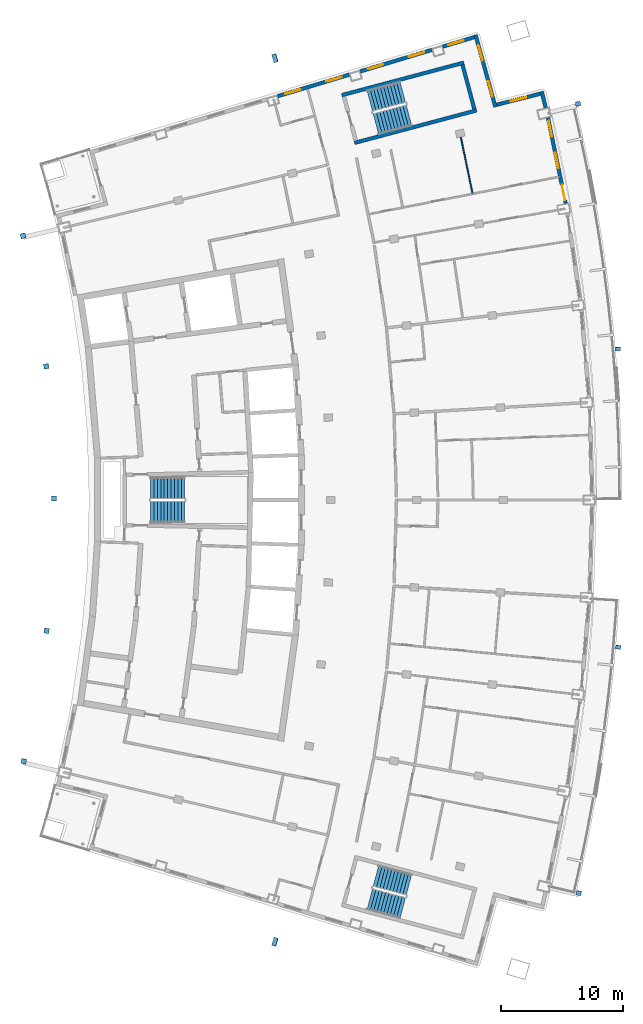
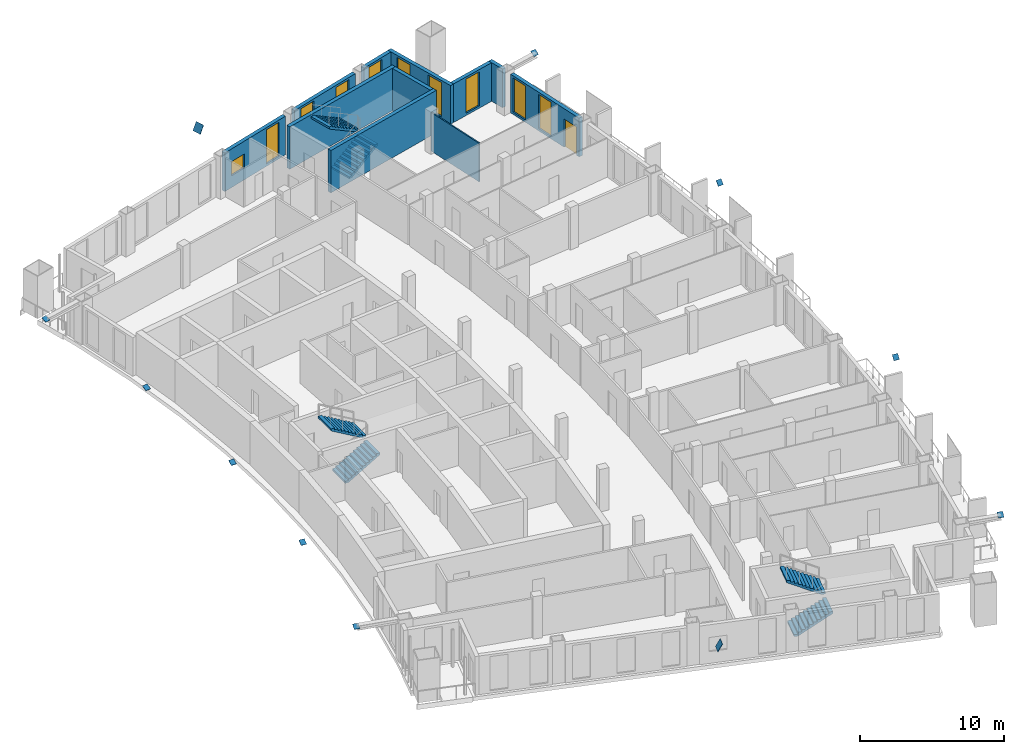
# One storey, part 13 of 15: 11 discrete accessories, 11 walls, 10 windows, 6 stair flights, 1 door, 11 openings, 3 elements without a shape of their own.
"""IFC4 building model written with IfcOpenShell, lengths in metres."""

from ifc_helpers import new_model, si_unit, direction, frame, frame_2d, origin, origin_2d, place, context, subcontext, project, spatial, polyline, rectangle, outline, extrude, material, layer, layer_set, material_profile, profile_set, type_object, element, fill, aggregate, save


model = new_model("IFC4")

# Units and contexts
model_context = context("Model", 3, precision=1e-05, world=origin(), true_north=direction((0.0, 1.0)))
body_context = subcontext(model_context, "Body", "Model", "MODEL_VIEW")
ifc_project = project(units=[si_unit("LENGTHUNIT", "METRE"), si_unit("AREAUNIT", "SQUARE_METRE"), si_unit("VOLUMEUNIT", "CUBIC_METRE"), si_unit("PLANEANGLEUNIT", "RADIAN"), si_unit("MASSUNIT", "GRAM", prefix="KILO")], contexts=[model_context])

# Site, building, storey
site_placement = place(None, origin())
site = spatial("IfcSite", under=ifc_project, at=site_placement, CompositionType="ELEMENT")
building_placement = place(site_placement, origin())
building = spatial("IfcBuilding", under=site, at=building_placement, Name="Alderwake Tower", CompositionType="ELEMENT")
storey_placement = place(building_placement, frame((0.0, 0.0, 252.800048828125)))
storey = spatial("IfcBuildingStorey", under=building, at=storey_placement, Name="L62", CompositionType="ELEMENT", Elevation=252.800048828125)

# Walls
ifc_material_1 = material(Name="Concrete C70/85", Category="concrete")
ifc_layer_1 = layer(ifc_material_1, 0.300048828125)
ifc_layer_set_1 = layer_set([ifc_layer_1], Name="Core wall stair enclosure 300 C70-85")
wall_type_1 = type_object("IfcWallType", Name="Core wall stair enclosure 300 C70-85", PredefinedType="SHEAR", material=ifc_layer_set_1)
for number, where, z_axis, x_axis, name in (
    (1, (36.71142578125, 94.182373046875, 0.0), (0.0, 0.0, 1.0), (0.966309214305, 0.257383958996, 0.0), "Core wall CW.082"),
    (2, (37.75390625, 90.268798828125, 0.0), (0.0, 0.0, 1.0), (0.966309214305, 0.257383958996, 0.0), "Core wall CW.084"),
):
    element("IfcWall", number, at=place(storey_placement, frame(where, z_axis=z_axis, x_axis=x_axis)), inside=storey, type_object=wall_type_1, Name=name, PredefinedType="SHEAR", context=body_context, shape_type="SweptSolid", body=[
        extrude(rectangle(XDim=10.360107421875, YDim=0.300048828125, at=frame_2d((5.18017578125, 0.0))), origin(), (0.0, 0.0, 1.0), 3.599853515625),
    ])
wall_1_placement = place(storey_placement, frame((47.581298828125, 93.041748046875, 0.0), z_axis=(0.0, 0.0, 1.0), x_axis=(-0.257366821694, 0.966313778796, 0.0)))
element("IfcWall", 3, at=wall_1_placement, inside=storey, type_object=wall_type_1, Name="Core wall CW.081", PredefinedType="SHEAR", context=body_context, shape_type="SweptSolid", body=[
    extrude(rectangle(XDim=3.749755859375, YDim=0.300048828125, at=frame_2d((1.875, 0.0))), origin(), (0.0, 0.0, 1.0), 3.599853515625),
])

# Wall, openings, door, windows
ifc_material_2 = material(Name="Precast concrete C50/60 spandrel panel", Category="concrete")
ifc_layer_2 = layer(ifc_material_2, 0.300048828125)
ifc_layer_set_2 = layer_set([ifc_layer_2], Name="External wall EW1 Precast concrete C50/60 spandrel")
wall_type_2 = type_object("IfcWallType", Name="External wall EW1 Precast concrete C50/60 spandrel", PredefinedType="SOLIDWALL", material=ifc_layer_set_2)
wall_2_placement = place(storey_placement, frame((55.068115234375, 85.309326171875, 0.0), z_axis=(0.0, 0.0, 1.0), x_axis=(-0.202732982931, 0.979234056614, 0.0)))
wall_2 = element("IfcWall", 4, at=wall_2_placement, inside=storey, type_object=wall_type_2, Name="External wall 19", PredefinedType="SOLIDWALL", context=body_context, shape_type="SweptSolid", body=[
    extrude(rectangle(XDim=7.16162109375, YDim=0.300048828125, at=frame_2d((3.580810546875, 0.0))), origin(), (0.0, 0.0, 1.0), 3.280029296875),
])
opening_1_placement = place(wall_2_placement, frame((0.267333984375, 0.0, 0.0)))
opening_1 = element("IfcOpeningElement", 5, at=opening_1_placement, cuts=wall_2, Name="Opening D08", PredefinedType="OPENING", context=body_context, shape_type="SweptSolid", body=[
    extrude(rectangle(XDim=1.300048828125, YDim=2.39990234375, at=frame_2d((0.64990234375, 1.199951171875))), frame((0.0, 0.159912109375, 0.0), z_axis=(0.0, -1.0, 0.0), x_axis=(1.0, 0.0, 0.0)), (0.0, 0.0, 1.0), 0.320068359375),
])
opening_2_placement = place(wall_2_placement, frame((2.930908203125, 0.0, 0.199951171875)))
opening_2 = element("IfcOpeningElement", 6, at=opening_2_placement, cuts=wall_2, Name="Opening W1", PredefinedType="OPENING", context=body_context, shape_type="SweptSolid", body=[
    extrude(rectangle(XDim=1.300048828125, YDim=2.89990234375, at=frame_2d((0.64990234375, 1.449951171875))), frame((0.0, 0.159912109375, 0.0), z_axis=(0.0, -1.0, 0.0), x_axis=(1.0, 0.0, 0.0)), (0.0, 0.0, 1.0), 0.320068359375),
])
opening_3_placement = place(wall_2_placement, frame((5.594482421875, 0.0, 0.199951171875)))
opening_3 = element("IfcOpeningElement", 7, at=opening_3_placement, cuts=wall_2, Name="Opening W1", PredefinedType="OPENING", context=body_context, shape_type="SweptSolid", body=[
    extrude(rectangle(XDim=1.300048828125, YDim=2.89990234375, at=frame_2d((0.64990234375, 1.449951171875))), frame((0.0, 0.159912109375, 0.0), z_axis=(0.0, -1.0, 0.0), x_axis=(1.0, 0.0, 0.0)), (0.0, 0.0, 1.0), 0.320068359375),
])
ifc_material_3 = material(Name="Bronze tinted glass in aluminium frame", Category="aluminium")
door_type = type_object("IfcDoorType", Name="Balcony door BD sliding", OperationType="SLIDING_TO_LEFT", PredefinedType="DOOR", material=ifc_material_3)
door_placement = place(opening_1_placement, origin())
door = element("IfcDoor", 8, at=door_placement, inside=storey, type_object=door_type, Name="Door D08", OperationType="SLIDING_TO_LEFT", OverallHeight=2.39990234375, OverallWidth=1.300048828125, PredefinedType="DOOR", context=body_context, shape_type="SweptSolid", body=[
    extrude(rectangle(XDim=1.300048828125, YDim=2.39990234375, at=frame_2d((0.64990234375, 1.199951171875))), frame((0.0, 0.02490234375, 0.0), z_axis=(0.0, -1.0, 0.0), x_axis=(1.0, 0.0, 0.0)), (0.0, 0.0, 1.0), 0.050048828125),
])
fill(opening_1, door)
ifc_material_4 = material(Name="Bronze tinted glass in aluminium frame", Category="aluminium")
window_type_1 = type_object("IfcWindowType", Name="Window W1 tall fixed and vent", PartitioningType="DOUBLE_PANEL_VERTICAL", PredefinedType="WINDOW", material=ifc_material_4)
window_1_placement = place(opening_2_placement, origin())
window_1 = element("IfcWindow", 9, at=window_1_placement, inside=storey, type_object=window_type_1, Name="Window W1 tall fixed and vent", OverallHeight=2.89990234375, OverallWidth=1.300048828125, PartitioningType="DOUBLE_PANEL_VERTICAL", PredefinedType="WINDOW", context=body_context, shape_type="SweptSolid", body=[
    extrude(rectangle(XDim=1.300048828125, YDim=2.89990234375, at=frame_2d((0.64990234375, 1.449951171875))), frame((0.0, 0.030029296875, 0.0), z_axis=(0.0, -1.0, 0.0), x_axis=(1.0, 0.0, 0.0)), (0.0, 0.0, 1.0), 0.06005859375),
])
fill(opening_2, window_1)
window_2_placement = place(opening_3_placement, origin())
window_2 = element("IfcWindow", 10, at=window_2_placement, inside=storey, type_object=window_type_1, Name="Window W1 tall fixed and vent", OverallHeight=2.89990234375, OverallWidth=1.300048828125, PartitioningType="DOUBLE_PANEL_VERTICAL", PredefinedType="WINDOW", context=body_context, shape_type="SweptSolid", body=[
    extrude(rectangle(XDim=1.300048828125, YDim=2.89990234375, at=frame_2d((0.64990234375, 1.449951171875))), frame((0.0, 0.030029296875, 0.0), z_axis=(0.0, -1.0, 0.0), x_axis=(1.0, 0.0, 0.0)), (0.0, 0.0, 1.0), 0.06005859375),
])
fill(opening_3, window_2)

# Wall
wall_3_placement = place(storey_placement, frame((53.43408203125, 93.12890625, 0.0), z_axis=(0.0, 0.0, 1.0), x_axis=(-0.238336671874, 0.971182593975, 0.0)))
element("IfcWall", 11, at=wall_3_placement, inside=storey, type_object=wall_type_2, Name="External wall 20", PredefinedType="SOLIDWALL", context=body_context, shape_type="SweptSolid", body=[
    extrude(rectangle(XDim=1.396240234375, YDim=0.300048828125, at=frame_2d((0.6982421875, 0.0))), origin(), (0.0, 0.0, 1.0), 3.280029296875),
])

# Wall, opening, window
ifc_material_5 = material(Name="Bronze metal cladding on lightweight framing")
ifc_layer_3 = layer(ifc_material_5, 0.300048828125)
ifc_layer_set_3 = layer_set([ifc_layer_3], Name="External wall EW2 bronze metal cladding")
wall_type_3 = type_object("IfcWallType", Name="External wall EW2 bronze metal cladding", PredefinedType="SOLIDWALL", material=ifc_layer_set_3)
wall_4_placement = place(storey_placement, frame((52.99169921875, 94.302490234375, 0.0), z_axis=(0.0, 0.0, 1.0), x_axis=(-0.96941119971, -0.245442306614, 0.0)))
wall_4 = element("IfcWall", 12, at=wall_4_placement, inside=storey, type_object=wall_type_3, Name="External wall 21", PredefinedType="SOLIDWALL", context=body_context, shape_type="SweptSolid", body=[
    extrude(rectangle(XDim=3.6943359375, YDim=0.300048828125, at=frame_2d((1.84716796875, 0.0))), origin(), (0.0, 0.0, 1.0), 3.280029296875),
])
opening_4_placement = place(wall_4_placement, frame((1.197021484375, 0.0, 0.199951171875)))
opening_4 = element("IfcOpeningElement", 13, at=opening_4_placement, cuts=wall_4, Name="Opening W1", PredefinedType="OPENING", context=body_context, shape_type="SweptSolid", body=[
    extrude(rectangle(XDim=1.300048828125, YDim=2.89990234375, at=frame_2d((0.64990234375, 1.449951171875))), frame((0.0, 0.159912109375, 0.0), z_axis=(0.0, -1.0, 0.0), x_axis=(1.0, 0.0, 0.0)), (0.0, 0.0, 1.0), 0.320068359375),
])
window_3_placement = place(opening_4_placement, origin())
window_3 = element("IfcWindow", 14, at=window_3_placement, inside=storey, type_object=window_type_1, Name="Window W1 tall fixed and vent", OverallHeight=2.89990234375, OverallWidth=1.300048828125, PartitioningType="DOUBLE_PANEL_VERTICAL", PredefinedType="WINDOW", context=body_context, shape_type="SweptSolid", body=[
    extrude(rectangle(XDim=1.300048828125, YDim=2.89990234375, at=frame_2d((0.64990234375, 1.449951171875))), frame((0.0, 0.030029296875, 0.0), z_axis=(0.0, -1.0, 0.0), x_axis=(1.0, 0.0, 0.0)), (0.0, 0.0, 1.0), 0.06005859375),
])
fill(opening_4, window_3)

# Wall, openings, windows
wall_5_placement = place(storey_placement, frame((49.3046875, 93.21435546875, 0.0), z_axis=(0.0, 0.0, 1.0), x_axis=(-0.265085195802, 0.964224993955, 0.0)))
wall_5 = element("IfcWall", 15, at=wall_5_placement, inside=storey, type_object=wall_type_3, Name="External wall 22", PredefinedType="SOLIDWALL", context=body_context, shape_type="SweptSolid", body=[
    extrude(rectangle(XDim=6.129150390625, YDim=0.300048828125, at=frame_2d((3.064453125, 0.0))), origin(), (0.0, 0.0, 1.0), 3.280029296875),
])
opening_5_placement = place(wall_5_placement, frame((0.88232421875, 0.0, 0.199951171875)))
opening_5 = element("IfcOpeningElement", 16, at=opening_5_placement, cuts=wall_5, Name="Opening W1", PredefinedType="OPENING", context=body_context, shape_type="SweptSolid", body=[
    extrude(rectangle(XDim=1.300048828125, YDim=2.89990234375, at=frame_2d((0.64990234375, 1.449951171875))), frame((0.0, 0.159912109375, 0.0), z_axis=(0.0, -1.0, 0.0), x_axis=(1.0, 0.0, 0.0)), (0.0, 0.0, 1.0), 0.320068359375),
])
opening_6_placement = place(wall_5_placement, frame((3.947021484375, 0.0, 0.199951171875)))
opening_6 = element("IfcOpeningElement", 17, at=opening_6_placement, cuts=wall_5, Name="Opening W1", PredefinedType="OPENING", context=body_context, shape_type="SweptSolid", body=[
    extrude(rectangle(XDim=1.300048828125, YDim=2.89990234375, at=frame_2d((0.64990234375, 1.449951171875))), frame((0.0, 0.159912109375, 0.0), z_axis=(0.0, -1.0, 0.0), x_axis=(1.0, 0.0, 0.0)), (0.0, 0.0, 1.0), 0.320068359375),
])
window_4_placement = place(opening_5_placement, origin())
window_4 = element("IfcWindow", 18, at=window_4_placement, inside=storey, type_object=window_type_1, Name="Window W1 tall fixed and vent", OverallHeight=2.89990234375, OverallWidth=1.300048828125, PartitioningType="DOUBLE_PANEL_VERTICAL", PredefinedType="WINDOW", context=body_context, shape_type="SweptSolid", body=[
    extrude(rectangle(XDim=1.300048828125, YDim=2.89990234375, at=frame_2d((0.64990234375, 1.449951171875))), frame((0.0, 0.030029296875, 0.0), z_axis=(0.0, -1.0, 0.0), x_axis=(1.0, 0.0, 0.0)), (0.0, 0.0, 1.0), 0.06005859375),
])
fill(opening_5, window_4)
window_5_placement = place(opening_6_placement, origin())
window_5 = element("IfcWindow", 19, at=window_5_placement, inside=storey, type_object=window_type_1, Name="Window W1 tall fixed and vent", OverallHeight=2.89990234375, OverallWidth=1.300048828125, PartitioningType="DOUBLE_PANEL_VERTICAL", PredefinedType="WINDOW", context=body_context, shape_type="SweptSolid", body=[
    extrude(rectangle(XDim=1.300048828125, YDim=2.89990234375, at=frame_2d((0.64990234375, 1.449951171875))), frame((0.0, 0.030029296875, 0.0), z_axis=(0.0, -1.0, 0.0), x_axis=(1.0, 0.0, 0.0)), (0.0, 0.0, 1.0), 0.06005859375),
])
fill(opening_6, window_5)

# Wall, opening, window
wall_6_placement = place(storey_placement, frame((47.576171875, 98.9365234375, 0.0), z_axis=(0.0, 0.0, 1.0), x_axis=(-0.957781694838, -0.287496478298, 0.0)))
wall_6 = element("IfcWall", 20, at=wall_6_placement, inside=storey, type_object=wall_type_3, Name="External wall 23", PredefinedType="SOLIDWALL", context=body_context, shape_type="SweptSolid", body=[
    extrude(rectangle(XDim=2.713134765625, YDim=0.300048828125, at=frame_2d((1.3564453125, 0.0))), origin(), (0.0, 0.0, 1.0), 3.280029296875),
])
opening_7_placement = place(wall_6_placement, frame((0.932373046875, 0.0, 0.199951171875)))
opening_7 = element("IfcOpeningElement", 21, at=opening_7_placement, cuts=wall_6, Name="Opening W1", PredefinedType="OPENING", context=body_context, shape_type="SweptSolid", body=[
    extrude(rectangle(XDim=1.300048828125, YDim=2.89990234375, at=frame_2d((0.64990234375, 1.449951171875))), frame((0.0, 0.159912109375, 0.0), z_axis=(0.0, -1.0, 0.0), x_axis=(1.0, 0.0, 0.0)), (0.0, 0.0, 1.0), 0.320068359375),
])
window_6_placement = place(opening_7_placement, origin())
window_6 = element("IfcWindow", 22, at=window_6_placement, inside=storey, type_object=window_type_1, Name="Window W1 tall fixed and vent", OverallHeight=2.89990234375, OverallWidth=1.300048828125, PartitioningType="DOUBLE_PANEL_VERTICAL", PredefinedType="WINDOW", context=body_context, shape_type="SweptSolid", body=[
    extrude(rectangle(XDim=1.300048828125, YDim=2.89990234375, at=frame_2d((0.64990234375, 1.449951171875))), frame((0.0, 0.030029296875, 0.0), z_axis=(0.0, -1.0, 0.0), x_axis=(1.0, 0.0, 0.0)), (0.0, 0.0, 1.0), 0.06005859375),
])
fill(opening_7, window_6)

# Wall, openings, windows
wall_7_placement = place(storey_placement, frame((44.112548828125, 97.896728515625, 0.0), z_axis=(0.0, 0.0, 1.0), x_axis=(-0.957768483821, -0.28754048654, 0.0)))
wall_7 = element("IfcWall", 23, at=wall_7_placement, inside=storey, type_object=wall_type_3, Name="External wall 24", PredefinedType="SOLIDWALL", context=body_context, shape_type="SweptSolid", body=[
    extrude(rectangle(XDim=6.163330078125, YDim=0.300048828125, at=frame_2d((3.08154296875, 0.0))), origin(), (0.0, 0.0, 1.0), 3.280029296875),
])
opening_8_placement = place(wall_7_placement, frame((0.6650390625, 0.0, 0.199951171875)))
opening_8 = element("IfcOpeningElement", 24, at=opening_8_placement, cuts=wall_7, Name="Opening W1", PredefinedType="OPENING", context=body_context, shape_type="SweptSolid", body=[
    extrude(rectangle(XDim=1.300048828125, YDim=2.89990234375, at=frame_2d((0.64990234375, 1.449951171875))), frame((0.0, 0.159912109375, 0.0), z_axis=(0.0, -1.0, 0.0), x_axis=(1.0, 0.0, 0.0)), (0.0, 0.0, 1.0), 0.320068359375),
])
opening_9_placement = place(wall_7_placement, frame((4.198486328125, 0.0, 0.199951171875)))
opening_9 = element("IfcOpeningElement", 25, at=opening_9_placement, cuts=wall_7, Name="Opening W1", PredefinedType="OPENING", context=body_context, shape_type="SweptSolid", body=[
    extrude(rectangle(XDim=1.300048828125, YDim=2.89990234375, at=frame_2d((0.64990234375, 1.449951171875))), frame((0.0, 0.159912109375, 0.0), z_axis=(0.0, -1.0, 0.0), x_axis=(1.0, 0.0, 0.0)), (0.0, 0.0, 1.0), 0.320068359375),
])
window_7_placement = place(opening_8_placement, origin())
window_7 = element("IfcWindow", 26, at=window_7_placement, inside=storey, type_object=window_type_1, Name="Window W1 tall fixed and vent", OverallHeight=2.89990234375, OverallWidth=1.300048828125, PartitioningType="DOUBLE_PANEL_VERTICAL", PredefinedType="WINDOW", context=body_context, shape_type="SweptSolid", body=[
    extrude(rectangle(XDim=1.300048828125, YDim=2.89990234375, at=frame_2d((0.64990234375, 1.449951171875))), frame((0.0, 0.030029296875, 0.0), z_axis=(0.0, -1.0, 0.0), x_axis=(1.0, 0.0, 0.0)), (0.0, 0.0, 1.0), 0.06005859375),
])
fill(opening_8, window_7)
window_8_placement = place(opening_9_placement, origin())
window_8 = element("IfcWindow", 27, at=window_8_placement, inside=storey, type_object=window_type_1, Name="Window W1 tall fixed and vent", OverallHeight=2.89990234375, OverallWidth=1.300048828125, PartitioningType="DOUBLE_PANEL_VERTICAL", PredefinedType="WINDOW", context=body_context, shape_type="SweptSolid", body=[
    extrude(rectangle(XDim=1.300048828125, YDim=2.89990234375, at=frame_2d((0.64990234375, 1.449951171875))), frame((0.0, 0.030029296875, 0.0), z_axis=(0.0, -1.0, 0.0), x_axis=(1.0, 0.0, 0.0)), (0.0, 0.0, 1.0), 0.06005859375),
])
fill(opening_9, window_8)

wall_8_placement = place(storey_placement, frame((37.34423828125, 95.86474609375, 0.0), z_axis=(0.0, 0.0, 1.0), x_axis=(-0.957757574336, -0.287576822436, 0.0)))
wall_8 = element("IfcWall", 28, at=wall_8_placement, inside=storey, type_object=wall_type_3, Name="External wall 25", PredefinedType="SOLIDWALL", context=body_context, shape_type="SweptSolid", body=[
    extrude(rectangle(XDim=6.163330078125, YDim=0.300048828125, at=frame_2d((3.08154296875, 0.0))), origin(), (0.0, 0.0, 1.0), 3.280029296875),
])
opening_10_placement = place(wall_8_placement, frame((0.6650390625, 0.0, 0.199951171875)))
opening_10 = element("IfcOpeningElement", 29, at=opening_10_placement, cuts=wall_8, Name="Opening W1", PredefinedType="OPENING", context=body_context, shape_type="SweptSolid", body=[
    extrude(rectangle(XDim=1.300048828125, YDim=2.89990234375, at=frame_2d((0.64990234375, 1.449951171875))), frame((0.0, 0.159912109375, 0.0), z_axis=(0.0, -1.0, 0.0), x_axis=(1.0, 0.0, 0.0)), (0.0, 0.0, 1.0), 0.320068359375),
])
opening_11_placement = place(wall_8_placement, frame((4.198486328125, 0.0, 1.0)))
opening_11 = element("IfcOpeningElement", 30, at=opening_11_placement, cuts=wall_8, Name="Opening W2", PredefinedType="OPENING", context=body_context, shape_type="SweptSolid", body=[
    extrude(rectangle(XDim=1.300048828125, YDim=1.199951171875, at=frame_2d((0.64990234375, 0.60009765625))), frame((0.0, 0.159912109375, 0.0), z_axis=(0.0, -1.0, 0.0), x_axis=(1.0, 0.0, 0.0)), (0.0, 0.0, 1.0), 0.320068359375),
])
window_9_placement = place(opening_10_placement, origin())
window_9 = element("IfcWindow", 31, at=window_9_placement, inside=storey, type_object=window_type_1, Name="Window W1 tall fixed and vent", OverallHeight=2.89990234375, OverallWidth=1.300048828125, PartitioningType="DOUBLE_PANEL_VERTICAL", PredefinedType="WINDOW", context=body_context, shape_type="SweptSolid", body=[
    extrude(rectangle(XDim=1.300048828125, YDim=2.89990234375, at=frame_2d((0.64990234375, 1.449951171875))), frame((0.0, 0.030029296875, 0.0), z_axis=(0.0, -1.0, 0.0), x_axis=(1.0, 0.0, 0.0)), (0.0, 0.0, 1.0), 0.06005859375),
])
fill(opening_10, window_9)
ifc_material_6 = material(Name="Bronze tinted glass in aluminium frame", Category="aluminium")
window_type_2 = type_object("IfcWindowType", Name="Window W2 kitchen and bath", PartitioningType="SINGLE_PANEL", PredefinedType="WINDOW", material=ifc_material_6)
window_10_placement = place(opening_11_placement, origin())
window_10 = element("IfcWindow", 32, at=window_10_placement, inside=storey, type_object=window_type_2, Name="Window W2 kitchen and bath", OverallHeight=1.199951171875, OverallWidth=1.300048828125, PartitioningType="SINGLE_PANEL", PredefinedType="WINDOW", context=body_context, shape_type="SweptSolid", body=[
    extrude(rectangle(XDim=1.300048828125, YDim=1.199951171875, at=frame_2d((0.64990234375, 0.60009765625))), frame((0.0, 0.030029296875, 0.0), z_axis=(0.0, -1.0, 0.0), x_axis=(1.0, 0.0, 0.0)), (0.0, 0.0, 1.0), 0.06005859375),
])
fill(opening_11, window_10)

# Wall
ifc_material_7 = material(Name="Gypsum board on metal studs")
ifc_layer_4 = layer(ifc_material_7, 0.10009765625)
ifc_layer_set_4 = layer_set([ifc_layer_4], Name="Unit partition 100")
wall_type_4 = type_object("IfcWallType", Name="Unit partition 100", PredefinedType="PARTITIONING", material=ifc_layer_set_4)
wall_9_placement = place(storey_placement, frame((47.42578125, 86.14599609375, 0.0), z_axis=(0.0, 0.0, 1.0), x_axis=(-0.203084909965, 0.97916113043, 0.0)))
element("IfcWall", 33, at=wall_9_placement, inside=storey, type_object=wall_type_4, Name="WL/L62/W52", PredefinedType="PARTITIONING", context=body_context, shape_type="SweptSolid", body=[
    extrude(rectangle(XDim=5.002197265625, YDim=0.10009765625, at=frame_2d((2.5009765625, 0.0))), origin(), (0.0, 0.0, 1.0), 3.280029296875),
])

# Stair, stair flights
ifc_material_8 = material(Name="Concrete C40/50", Category="concrete")
stair_type = type_object("IfcStairType", Name="Core exit stair", PredefinedType="HALF_TURN_STAIR", material=ifc_material_8)
stair_1_placement = place(storey_placement, origin())
stair_1 = element("IfcStair", 34, at=stair_1_placement, inside=storey, type_object=stair_type, Name="L62 Exit Stair B", PredefinedType="HALF_TURN_STAIR")
ifc_material_9 = material(Name="Concrete C40/50", Category="concrete")
ifc_layer_5 = layer(ifc_material_9, 0.14990234375)
ifc_layer_set_5 = layer_set([ifc_layer_5], Name="Core stair flight")
stair_flight_type = type_object("IfcStairFlightType", Name="Core stair flight", PredefinedType="STRAIGHT", material=ifc_layer_set_5)
stair_flight_1_placement = place(storey_placement, frame((21.0400390625, 60.02490234375, 0.0), z_axis=(0.0, 0.0, 1.0), x_axis=(1.0, 0.0, 0.0)))
stair_flight_1 = element("IfcStairFlight", 35, at=stair_flight_1_placement, type_object=stair_flight_type, Name="ST-B flight 1", NumberOfRisers=11, NumberOfTreads=10, PredefinedType="STRAIGHT", RiserHeight=0.163636364, TreadLength=0.28, context=body_context, shape_type="SweptSolid", body=[
    extrude(outline(polyline([(0.0, 0.0), (0.0, 0.16357421875), (0.280029296875, 0.16357421875), (0.280029296875, 0.327392578125), (0.56005859375, 0.327392578125), (0.56005859375, 0.490966796875), (0.840087890625, 0.490966796875), (0.840087890625, 0.654541015625), (1.1201171875, 0.654541015625), (1.1201171875, 0.818115234375), (1.39990234375, 0.818115234375), (1.39990234375, 0.98193359375), (1.679931640625, 0.98193359375), (1.679931640625, 1.1455078125), (1.9599609375, 1.1455078125), (1.9599609375, 1.30908203125), (2.239990234375, 1.30908203125), (2.239990234375, 1.47265625), (2.52001953125, 1.47265625), (2.52001953125, 1.636474609375), (2.800048828125, 1.636474609375), (2.800048828125, 1.800048828125), (2.800048828125, 1.462646484375), (0.297119140625, 0.0), (0.0, 0.0)])), frame((0.0, 0.89990234375, 0.0), z_axis=(0.0, -1.0, 0.0), x_axis=(1.0, 0.0, 0.0)), (0.0, 0.0, 1.0), 1.800048828125),
])
stair_flight_2_placement = place(storey_placement, frame((23.840087890625, 61.97509765625, 1.800048828125), z_axis=(0.0, 0.0, 1.0), x_axis=(-1.0, 0.0, 0.0)))
stair_flight_2 = element("IfcStairFlight", 36, at=stair_flight_2_placement, type_object=stair_flight_type, Name="ST-B flight 2", NumberOfRisers=11, NumberOfTreads=10, PredefinedType="STRAIGHT", RiserHeight=0.163636364, TreadLength=0.28, context=body_context, shape_type="SweptSolid", body=[
    extrude(outline(polyline([(0.0, 0.0), (0.0, 0.16357421875), (0.280029296875, 0.16357421875), (0.280029296875, 0.327392578125), (0.56005859375, 0.327392578125), (0.56005859375, 0.490966796875), (0.840087890625, 0.490966796875), (0.840087890625, 0.654541015625), (1.1201171875, 0.654541015625), (1.1201171875, 0.818115234375), (1.39990234375, 0.818115234375), (1.39990234375, 0.98193359375), (1.679931640625, 0.98193359375), (1.679931640625, 1.1455078125), (1.9599609375, 1.1455078125), (1.9599609375, 1.30908203125), (2.239990234375, 1.30908203125), (2.239990234375, 1.47265625), (2.52001953125, 1.47265625), (2.52001953125, 1.636474609375), (2.800048828125, 1.636474609375), (2.800048828125, 1.800048828125), (2.800048828125, 1.462646484375), (0.297119140625, 0.0), (0.0, 0.0)])), frame((0.0, 0.89990234375, 0.0), z_axis=(0.0, -1.0, 0.0), x_axis=(1.0, 0.0, 0.0)), (0.0, 0.0, 1.0), 1.800048828125),
])
aggregate(stair_1, [stair_flight_1, stair_flight_2])

stair_2_placement = place(storey_placement, origin())
stair_2 = element("IfcStair", 37, at=stair_2_placement, inside=storey, type_object=stair_type, Name="L62 Exit Stair A", PredefinedType="HALF_TURN_STAIR")
stair_flight_3_placement = place(storey_placement, frame((39.512939453125, 91.823974609375, 0.0), z_axis=(0.0, 0.0, 1.0), x_axis=(0.966309627437, 0.257382407951, 0.0)))
stair_flight_3 = element("IfcStairFlight", 38, at=stair_flight_3_placement, type_object=stair_flight_type, Name="ST-A flight 1", NumberOfRisers=11, NumberOfTreads=10, PredefinedType="STRAIGHT", RiserHeight=0.163636364, TreadLength=0.28, context=body_context, shape_type="SweptSolid", body=[
    extrude(outline(polyline([(0.0, 0.0), (0.0, 0.16357421875), (0.280029296875, 0.16357421875), (0.280029296875, 0.327392578125), (0.56005859375, 0.327392578125), (0.56005859375, 0.490966796875), (0.840087890625, 0.490966796875), (0.840087890625, 0.654541015625), (1.1201171875, 0.654541015625), (1.1201171875, 0.818115234375), (1.39990234375, 0.818115234375), (1.39990234375, 0.98193359375), (1.679931640625, 0.98193359375), (1.679931640625, 1.1455078125), (1.9599609375, 1.1455078125), (1.9599609375, 1.30908203125), (2.239990234375, 1.30908203125), (2.239990234375, 1.47265625), (2.52001953125, 1.47265625), (2.52001953125, 1.636474609375), (2.800048828125, 1.636474609375), (2.800048828125, 1.800048828125), (2.800048828125, 1.462646484375), (0.297119140625, 0.0), (0.0, 0.0)])), frame((0.0, 0.89990234375, 0.0), z_axis=(0.0, -1.0, 0.0), x_axis=(1.0, 0.0, 0.0)), (0.0, 0.0, 1.0), 1.800048828125),
])
stair_flight_4_placement = place(storey_placement, frame((41.716796875, 94.428955078125, 1.800048828125), z_axis=(0.0, 0.0, 1.0), x_axis=(-0.966309627437, -0.257382407951, 0.0)))
stair_flight_4 = element("IfcStairFlight", 39, at=stair_flight_4_placement, type_object=stair_flight_type, Name="ST-A flight 2", NumberOfRisers=11, NumberOfTreads=10, PredefinedType="STRAIGHT", RiserHeight=0.163636364, TreadLength=0.28, context=body_context, shape_type="SweptSolid", body=[
    extrude(outline(polyline([(0.0, 0.0), (0.0, 0.16357421875), (0.280029296875, 0.16357421875), (0.280029296875, 0.327392578125), (0.56005859375, 0.327392578125), (0.56005859375, 0.490966796875), (0.840087890625, 0.490966796875), (0.840087890625, 0.654541015625), (1.1201171875, 0.654541015625), (1.1201171875, 0.818115234375), (1.39990234375, 0.818115234375), (1.39990234375, 0.98193359375), (1.679931640625, 0.98193359375), (1.679931640625, 1.1455078125), (1.9599609375, 1.1455078125), (1.9599609375, 1.30908203125), (2.239990234375, 1.30908203125), (2.239990234375, 1.47265625), (2.52001953125, 1.47265625), (2.52001953125, 1.636474609375), (2.800048828125, 1.636474609375), (2.800048828125, 1.800048828125), (2.800048828125, 1.462646484375), (0.297119140625, 0.0), (0.0, 0.0)])), frame((0.0, 0.89990234375, 0.0), z_axis=(0.0, -1.0, 0.0), x_axis=(1.0, 0.0, 0.0)), (0.0, 0.0, 1.0), 1.800048828125),
])
aggregate(stair_2, [stair_flight_3, stair_flight_4])

stair_3_placement = place(storey_placement, origin())
stair_3 = element("IfcStair", 40, at=stair_3_placement, inside=storey, type_object=stair_type, Name="L62 Exit Stair C", PredefinedType="HALF_TURN_STAIR")
stair_flight_5_placement = place(storey_placement, frame((39.010986328125, 28.291748046875, 0.0), z_axis=(0.0, 0.0, 1.0), x_axis=(0.966309627437, -0.257382407951, 0.0)))
stair_flight_5 = element("IfcStairFlight", 41, at=stair_flight_5_placement, type_object=stair_flight_type, Name="ST-C flight 1", NumberOfRisers=11, NumberOfTreads=10, PredefinedType="STRAIGHT", RiserHeight=0.163636364, TreadLength=0.28, context=body_context, shape_type="SweptSolid", body=[
    extrude(outline(polyline([(0.0, 0.0), (0.0, 0.16357421875), (0.280029296875, 0.16357421875), (0.280029296875, 0.327392578125), (0.56005859375, 0.327392578125), (0.56005859375, 0.490966796875), (0.840087890625, 0.490966796875), (0.840087890625, 0.654541015625), (1.1201171875, 0.654541015625), (1.1201171875, 0.818115234375), (1.39990234375, 0.818115234375), (1.39990234375, 0.98193359375), (1.679931640625, 0.98193359375), (1.679931640625, 1.1455078125), (1.9599609375, 1.1455078125), (1.9599609375, 1.30908203125), (2.239990234375, 1.30908203125), (2.239990234375, 1.47265625), (2.52001953125, 1.47265625), (2.52001953125, 1.636474609375), (2.800048828125, 1.636474609375), (2.800048828125, 1.800048828125), (2.800048828125, 1.462646484375), (0.297119140625, 0.0), (0.0, 0.0)])), frame((0.0, 0.89990234375, 0.0), z_axis=(0.0, -1.0, 0.0), x_axis=(1.0, 0.0, 0.0)), (0.0, 0.0, 1.0), 1.800048828125),
])
stair_flight_6_placement = place(storey_placement, frame((42.218505859375, 29.455322265625, 1.800048828125), z_axis=(0.0, 0.0, 1.0), x_axis=(-0.966309627437, 0.257382407951, 0.0)))
stair_flight_6 = element("IfcStairFlight", 42, at=stair_flight_6_placement, type_object=stair_flight_type, Name="ST-C flight 2", NumberOfRisers=11, NumberOfTreads=10, PredefinedType="STRAIGHT", RiserHeight=0.163636364, TreadLength=0.28, context=body_context, shape_type="SweptSolid", body=[
    extrude(outline(polyline([(0.0, 0.0), (0.0, 0.16357421875), (0.280029296875, 0.16357421875), (0.280029296875, 0.327392578125), (0.56005859375, 0.327392578125), (0.56005859375, 0.490966796875), (0.840087890625, 0.490966796875), (0.840087890625, 0.654541015625), (1.1201171875, 0.654541015625), (1.1201171875, 0.818115234375), (1.39990234375, 0.818115234375), (1.39990234375, 0.98193359375), (1.679931640625, 0.98193359375), (1.679931640625, 1.1455078125), (1.9599609375, 1.1455078125), (1.9599609375, 1.30908203125), (2.239990234375, 1.30908203125), (2.239990234375, 1.47265625), (2.52001953125, 1.47265625), (2.52001953125, 1.636474609375), (2.800048828125, 1.636474609375), (2.800048828125, 1.800048828125), (2.800048828125, 1.462646484375), (0.297119140625, 0.0), (0.0, 0.0)])), frame((0.0, 0.89990234375, 0.0), z_axis=(0.0, -1.0, 0.0), x_axis=(1.0, 0.0, 0.0)), (0.0, 0.0, 1.0), 1.800048828125),
])
aggregate(stair_3, [stair_flight_5, stair_flight_6])

# Discrete accessories
ifc_material_10 = material(Name="Steel ASTM A572 Grade 50", Category="steel")
ifc_material_profile_1 = material_profile(ifc_material_10, rectangle(XDim=0.699951171875, YDim=0.699951171875, at=origin_2d()), Name="BOX 700X700X45 cap")
ifc_profile_set_1 = profile_set([ifc_material_profile_1], Name="Steel ASTM A572 Grade 50")
discrete_accessory_type_1 = type_object("IfcDiscreteAccessoryType", Name="End cap plate BOX 700X700X45", PredefinedType="USERDEFINED", material=ifc_profile_set_1)
for number, where, z_axis, x_axis, name in (
    (43, (31.25048828125, 24.7802734375, 3.50927734375), (-0.839565428242, 0.252684740539, 0.48091611909), (-0.288200688743, -0.957570030341, 0.0), "End cap BRS5.1.0B1 X"),
    (44, (31.25048828125, 97.2197265625, 3.50927734375), (-0.839565428242, -0.252684740539, 0.48091611909), (0.288200688743, -0.957570030341, 0.0), "End cap BRN5.1.0B1 X"),
):
    element("IfcDiscreteAccessory", number, at=place(storey_placement, frame(where, z_axis=z_axis, x_axis=x_axis)), inside=storey, type_object=discrete_accessory_type_1, Name=name, ObjectType="END CAP", PredefinedType="USERDEFINED", context=body_context, shape_type="SweptSolid", body=[
        extrude(rectangle(XDim=0.699951171875, YDim=0.699951171875, at=origin_2d()), origin(), (0.0, 0.0, 1.0), 0.030029296875),
    ])
ifc_material_11 = material(Name="Steel ASTM A572 Grade 50", Category="steel")
ifc_material_profile_2 = material_profile(ifc_material_11, rectangle(XDim=0.41552734375, YDim=0.445556640625, at=origin_2d()), Name="W14X342 cap")
ifc_profile_set_2 = profile_set([ifc_material_profile_2], Name="Steel ASTM A572 Grade 50")
discrete_accessory_type_2 = type_object("IfcDiscreteAccessoryType", Name="End cap plate W14X342", PredefinedType="USERDEFINED", material=ifc_profile_set_2)
for number, where, z_axis, x_axis, name in (
    (45, (56.142333984375, 28.7890625, 3.444580078125), (-0.170170236093, -0.583440809463, 0.794127768436), (0.96, -0.28, 0.0), "End cap BRF5.1.2B1 X"),
    (46, (59.3720703125, 48.944580078125, 3.48095703125), (-0.089380691217, -0.747547599273, 0.658166908055), (0.992927816807, -0.11871963027, 0.0), "End cap BRF5.1.4B1 X"),
    (47, (59.34228515625, 73.39453125, 3.48095703125), (0.040756957297, -0.749928014264, 0.660262708211), (0.998526420466, 0.054267740243, 0.0), "End cap BRF5.1.7B1 X"),
    (48, (56.0771484375, 93.485107421875, 3.444580078125), (0.10578549421, -0.59402623672, 0.797459879432), (0.984510817439, 0.175323844201, 0.0), "End cap BRF5.1.10B1 X"),
    (49, (10.646484375, 39.586181640625, 3.349853515625), (-0.105495990526, -0.438214114494, 0.892658381376), (0.972223637158, -0.234053838575, 0.0), "End cap BRR5.1.2B1 X"),
    (50, (12.522705078125, 50.283203125, 3.349853515625), (-0.048728980643, -0.446682322562, 0.893364645123), (0.994102176608, -0.108447510175, 0.0), "End cap BRR5.1.4B1 X"),
    (51, (13.141357421875, 61.1259765625, 3.349853515625), (0.0, -0.4472135955, 0.894427191), (1.0, 0.0, 0.0), "End cap BRR5.1.6B1 X"),
    (52, (12.493408203125, 71.966796875, 3.349853515625), (0.057031326367, -0.43995594626, 0.896206557197), (0.991702506662, 0.128554028641, 0.0), "End cap BRR5.1.8B1 X"),
    (53, (10.588134765625, 82.65869140625, 3.349853515625), (0.105869651339, -0.43162242469, 0.895820126716), (0.971210844098, 0.238221527798, 0.0), "End cap BRR5.1.10B1 X"),
):
    element("IfcDiscreteAccessory", number, at=place(storey_placement, frame(where, z_axis=z_axis, x_axis=x_axis)), inside=storey, type_object=discrete_accessory_type_2, Name=name, ObjectType="END CAP", PredefinedType="USERDEFINED", context=body_context, shape_type="SweptSolid", body=[
        extrude(rectangle(XDim=0.41552734375, YDim=0.445556640625, at=origin_2d()), origin(), (0.0, 0.0, 1.0), 0.030029296875),
    ])

save(model, "model.ifc")
